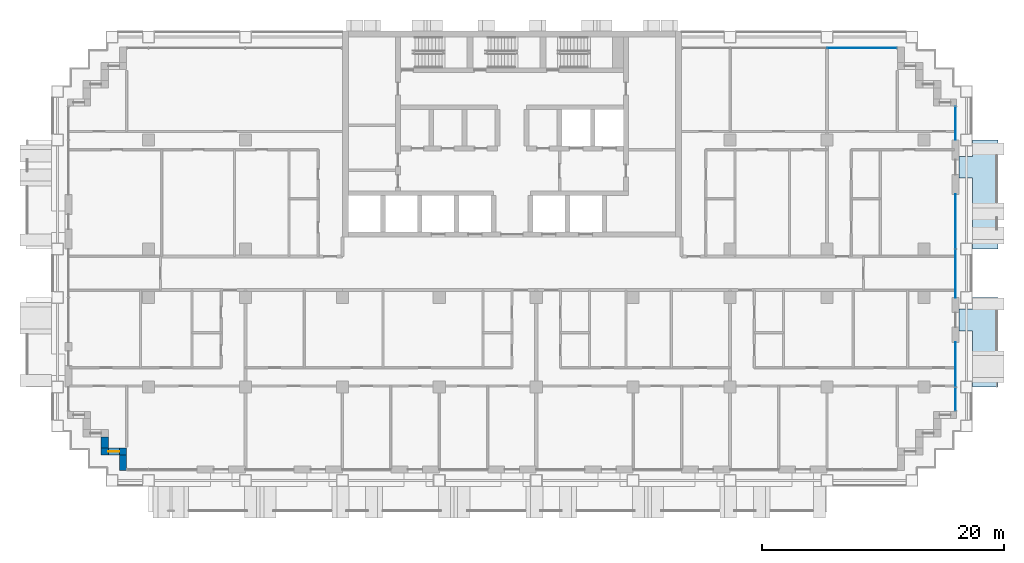
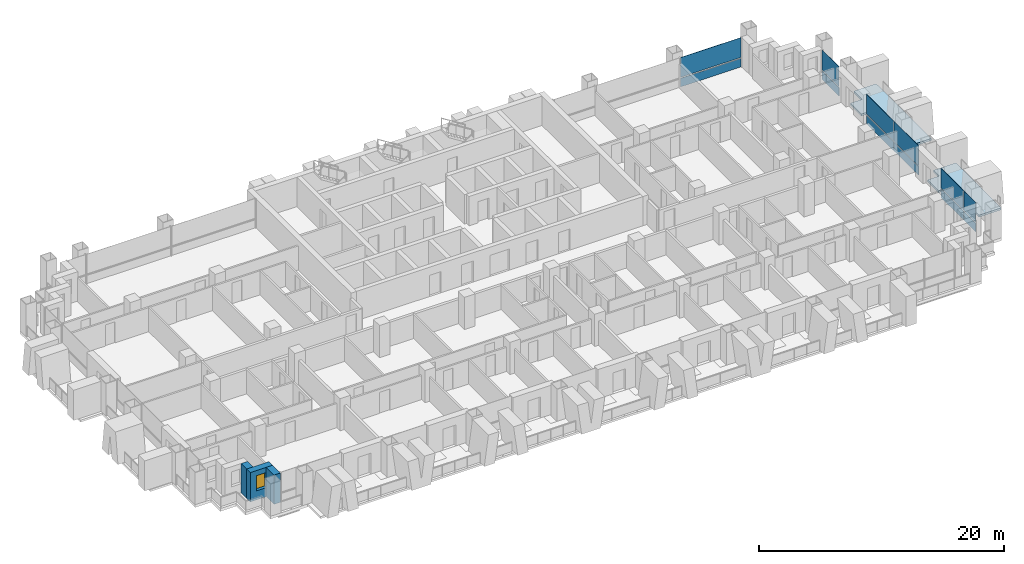
# One storey, part 8 of 18: 12 plates, 3 walls, 2 slabs, 1 window, 1 opening, 4 elements without a shape of their own.
"""IFC4 building model written with IfcOpenShell, lengths in metres."""

from ifc_helpers import new_model, si_unit, direction, frame, frame_2d, origin, origin_2d, place, context, subcontext, project, spatial, polyline, rectangle, outline, extrude, material, layer, layer_set, type_object, element, fill, aggregate, save


model = new_model("IFC4")

# Units and contexts
model_context = context("Model", 3, precision=1e-05, world=origin(), true_north=direction((0.0, 1.0)))
body_context = subcontext(model_context, "Body", "Model", "MODEL_VIEW")
ifc_project = project(units=[si_unit("LENGTHUNIT", "METRE"), si_unit("AREAUNIT", "SQUARE_METRE"), si_unit("VOLUMEUNIT", "CUBIC_METRE"), si_unit("PLANEANGLEUNIT", "RADIAN"), si_unit("MASSUNIT", "GRAM", prefix="KILO")], contexts=[model_context])

# Site, building, storey
site_placement = place(None, origin())
site = spatial("IfcSite", under=ifc_project, at=site_placement, CompositionType="ELEMENT")
building_placement = place(site_placement, origin())
building = spatial("IfcBuilding", under=site, at=building_placement, Name="Vidyagriha Tower", CompositionType="ELEMENT")
storey_placement = place(building_placement, frame((0.0, 0.0, 44.800048828125)))
storey = spatial("IfcBuildingStorey", under=building, at=storey_placement, Name="L11", CompositionType="ELEMENT", Elevation=44.800048828125)

# Curtain wall, plate
ifc_material_1 = material(Name="Aluminium and glass curtain wall", Category="aluminium")
curtain_wall_type = type_object("IfcCurtainWallType", Name="Dwelling skin unitised curtain wall", PredefinedType="USERDEFINED", material=ifc_material_1)
curtain_wall_1_placement = place(storey_placement, origin())
curtain_wall_1 = element("IfcCurtainWall", 1, at=curtain_wall_1_placement, inside=storey, type_object=curtain_wall_type, Name="CW1 dwelling skin", ObjectType="UNITISED", PredefinedType="USERDEFINED")
ifc_material_2 = material(Name="Glass dark ceramic-fritted spandrel", Category="glass")
ifc_layer_1 = layer(ifc_material_2, 0.0400390625)
ifc_layer_set_1 = layer_set([ifc_layer_1], Name="Glass dark ceramic-fritted spandrel")
plate_type_1 = type_object("IfcPlateType", Name="Ceramic-fritted spandrel panel", PredefinedType="CURTAIN_PANEL", material=ifc_layer_set_1)
plate_1_placement = place(storey_placement, frame((28.882568359375, 18.60009765625, 0.0), z_axis=(0.0, 0.0, 1.0), x_axis=(-1.0, 0.0, 0.0)))
plate_1 = element("IfcPlate", 2, at=plate_1_placement, type_object=plate_type_1, Name="CW1 panel 1.1", PredefinedType="CURTAIN_PANEL", context=body_context, shape_type="SweptSolid", body=[
    extrude(rectangle(XDim=5.695068359375, YDim=0.0400390625, at=origin_2d()), origin(), (0.0, 0.0, 1.0), 0.85009765625),
])

# Curtain wall, plates
curtain_wall_2_placement = place(storey_placement, origin())
curtain_wall_2 = element("IfcCurtainWall", 3, at=curtain_wall_2_placement, inside=storey, type_object=curtain_wall_type, Name="CW1 dwelling skin", ObjectType="UNITISED", PredefinedType="USERDEFINED")
plate_2_placement = place(storey_placement, frame((36.60009765625, -10.382568359375, 0.0), z_axis=(0.0, 0.0, 1.0), x_axis=(0.0, 1.0, 0.0)))
plate_2 = element("IfcPlate", 4, at=plate_2_placement, type_object=plate_type_1, Name="CW1 panel 1.1", PredefinedType="CURTAIN_PANEL", context=body_context, shape_type="SweptSolid", body=[
    extrude(rectangle(XDim=1.89501953125, YDim=0.0400390625, at=origin_2d()), origin(), (0.0, 0.0, 1.0), 0.85009765625),
])
plate_3_placement = place(storey_placement, frame((36.60009765625, -7.532470703125, 0.0), z_axis=(0.0, 0.0, 1.0), x_axis=(0.0, 1.0, 0.0)))
plate_3 = element("IfcPlate", 5, at=plate_3_placement, type_object=plate_type_1, Name="CW1 panel 2.1", PredefinedType="CURTAIN_PANEL", context=body_context, shape_type="SweptSolid", body=[
    extrude(rectangle(XDim=3.6650390625, YDim=0.0400390625, at=origin_2d()), origin(), (0.0, 0.0, 1.0), 0.85009765625),
])

# Curtain wall, plate
curtain_wall_3_placement = place(storey_placement, origin())
curtain_wall_3 = element("IfcCurtainWall", 6, at=curtain_wall_3_placement, inside=storey, type_object=curtain_wall_type, Name="CW1 dwelling skin", ObjectType="UNITISED", PredefinedType="USERDEFINED")
plate_4_placement = place(storey_placement, frame((36.60009765625, 12.364990234375, 0.0), z_axis=(0.0, 0.0, 1.0), x_axis=(0.0, 1.0, 0.0)))
plate_4 = element("IfcPlate", 7, at=plate_4_placement, type_object=plate_type_1, Name="CW1 panel 1.1", PredefinedType="CURTAIN_PANEL", context=body_context, shape_type="SweptSolid", body=[
    extrude(rectangle(XDim=2.72998046875, YDim=0.0400390625, at=origin_2d()), origin(), (0.0, 0.0, 1.0), 0.85009765625),
])

# Plate
ifc_material_3 = material(Name="Glass dark ceramic-fritted", Category="glass")
ifc_layer_2 = layer(ifc_material_3, 0.028076171875)
ifc_layer_set_2 = layer_set([ifc_layer_2], Name="Glass dark ceramic-fritted")
plate_type_2 = type_object("IfcPlateType", Name="Dark ceramic-fritted vision glass panel", PredefinedType="CURTAIN_PANEL", material=ifc_layer_set_2)
plate_5_placement = place(storey_placement, frame((28.882568359375, 18.60009765625, 0.9501953125), z_axis=(0.0, 0.0, 1.0), x_axis=(-1.0, 0.0, 0.0)))
plate_5 = element("IfcPlate", 8, at=plate_5_placement, type_object=plate_type_2, Name="CW1 panel 1.2", PredefinedType="CURTAIN_PANEL", context=body_context, shape_type="SweptSolid", body=[
    extrude(rectangle(XDim=5.695068359375, YDim=0.028076171875, at=origin_2d()), origin(), (0.0, 0.0, 1.0), 1.969970703125),
])

aggregate(curtain_wall_1, [plate_1, plate_5])

plate_6_placement = place(storey_placement, frame((36.60009765625, -10.382568359375, 0.9501953125), z_axis=(0.0, 0.0, 1.0), x_axis=(0.0, 1.0, 0.0)))
plate_6 = element("IfcPlate", 9, at=plate_6_placement, type_object=plate_type_2, Name="CW1 panel 1.2", PredefinedType="CURTAIN_PANEL", context=body_context, shape_type="SweptSolid", body=[
    extrude(rectangle(XDim=1.89501953125, YDim=0.028076171875, at=origin_2d()), origin(), (0.0, 0.0, 1.0), 1.969970703125),
])

plate_7_placement = place(storey_placement, frame((36.60009765625, -7.532470703125, 0.9501953125), z_axis=(0.0, 0.0, 1.0), x_axis=(0.0, 1.0, 0.0)))
plate_7 = element("IfcPlate", 10, at=plate_7_placement, type_object=plate_type_2, Name="CW1 panel 2.2", PredefinedType="CURTAIN_PANEL", context=body_context, shape_type="SweptSolid", body=[
    extrude(rectangle(XDim=3.6650390625, YDim=0.028076171875, at=origin_2d()), origin(), (0.0, 0.0, 1.0), 1.969970703125),
])

aggregate(curtain_wall_2, [plate_2, plate_6, plate_3, plate_7])

# Curtain wall, plates
curtain_wall_4_placement = place(storey_placement, origin())
curtain_wall_4 = element("IfcCurtainWall", 11, at=curtain_wall_4_placement, inside=storey, type_object=curtain_wall_type, Name="CW1 dwelling skin", ObjectType="UNITISED", PredefinedType="USERDEFINED")
plate_8_placement = place(storey_placement, frame((36.60009765625, -0.017578125, 0.9501953125), z_axis=(0.0, 0.0, 1.0), x_axis=(0.0, 1.0, 0.0)))
plate_8 = element("IfcPlate", 12, at=plate_8_placement, type_object=plate_type_2, Name="CW1 panel 1.2", PredefinedType="CURTAIN_PANEL", context=body_context, shape_type="SweptSolid", body=[
    extrude(rectangle(XDim=3.965087890625, YDim=0.028076171875, at=origin_2d()), origin(), (0.0, 0.0, 1.0), 1.969970703125),
])
plate_9_placement = place(storey_placement, frame((36.60009765625, 4.267578125, 0.9501953125), z_axis=(0.0, 0.0, 1.0), x_axis=(0.0, 1.0, 0.0)))
plate_9 = element("IfcPlate", 13, at=plate_9_placement, type_object=plate_type_2, Name="CW1 panel 2.2", PredefinedType="CURTAIN_PANEL", context=body_context, shape_type="SweptSolid", body=[
    extrude(rectangle(XDim=4.465087890625, YDim=0.028076171875, at=origin_2d()), origin(), (0.0, 0.0, 1.0), 1.969970703125),
])

# Plate
plate_10_placement = place(storey_placement, frame((36.60009765625, 12.364990234375, 0.9501953125), z_axis=(0.0, 0.0, 1.0), x_axis=(0.0, 1.0, 0.0)))
plate_10 = element("IfcPlate", 14, at=plate_10_placement, type_object=plate_type_2, Name="CW1 panel 1.2", PredefinedType="CURTAIN_PANEL", context=body_context, shape_type="SweptSolid", body=[
    extrude(rectangle(XDim=2.72998046875, YDim=0.028076171875, at=origin_2d()), origin(), (0.0, 0.0, 1.0), 1.969970703125),
])

aggregate(curtain_wall_3, [plate_4, plate_10])

ifc_material_4 = material(Name="Aluminium black anodised", Category="aluminium")
ifc_layer_3 = layer(ifc_material_4, 0.06005859375)
ifc_layer_set_3 = layer_set([ifc_layer_3], Name="Aluminium black anodised")
plate_type_3 = type_object("IfcPlateType", Name="Operable black-metal vent panel", PredefinedType="CURTAIN_PANEL", material=ifc_layer_set_3)
plate_11_placement = place(storey_placement, frame((36.60009765625, -0.017578125, 0.0), z_axis=(0.0, 0.0, 1.0), x_axis=(0.0, 1.0, 0.0)))
plate_11 = element("IfcPlate", 15, at=plate_11_placement, type_object=plate_type_3, Name="CW1 panel 1.1", PredefinedType="CURTAIN_PANEL", context=body_context, shape_type="SweptSolid", body=[
    extrude(rectangle(XDim=3.965087890625, YDim=0.06005859375, at=origin_2d()), origin(), (0.0, 0.0, 1.0), 0.85009765625),
])

plate_12_placement = place(storey_placement, frame((36.60009765625, 4.267578125, 0.0), z_axis=(0.0, 0.0, 1.0), x_axis=(0.0, 1.0, 0.0)))
plate_12 = element("IfcPlate", 16, at=plate_12_placement, type_object=plate_type_3, Name="CW1 panel 2.1", PredefinedType="CURTAIN_PANEL", context=body_context, shape_type="SweptSolid", body=[
    extrude(rectangle(XDim=4.465087890625, YDim=0.06005859375, at=origin_2d()), origin(), (0.0, 0.0, 1.0), 0.85009765625),
])

aggregate(curtain_wall_4, [plate_11, plate_8, plate_12, plate_9])

# Slabs
ifc_material_5 = material(Name="Precast concrete C40/50", Category="concrete")
ifc_layer_4 = layer(ifc_material_5, 0.199951171875)
ifc_layer_set_4 = layer_set([ifc_layer_4], Name="Precast concrete C40/50")
slab_type = type_object("IfcSlabType", Name="Precast balcony slab 200", PredefinedType="USERDEFINED", material=ifc_layer_set_4)
slab_1_placement = place(storey_placement, frame((0.0, 0.0, -0.199951171875)))
element("IfcSlab", 17, at=slab_1_placement, inside=storey, type_object=slab_type, Name="Balcony slab L11 R30.1-1", ObjectType="BALCONY", PredefinedType="USERDEFINED", context=body_context, shape_type="SweptSolid", body=[
    extrude(outline(polyline([(38.0, -4.75), (38.0, -9.39990234375), (40.10009765625, -9.39990234375), (40.10009765625, -2.0), (38.0, -2.0), (38.0, -2.949951171875), (36.89990234375, -2.949951171875), (36.89990234375, -4.75), (38.0, -4.75)])), origin(), (0.0, 0.0, 1.0), 0.199951171875),
])
slab_2_placement = place(storey_placement, frame((0.0, 0.0, -0.199951171875)))
element("IfcSlab", 18, at=slab_2_placement, inside=storey, type_object=slab_type, Name="Balcony slab L11 R30.2-2", ObjectType="BALCONY", PredefinedType="USERDEFINED", context=body_context, shape_type="SweptSolid", body=[
    extrude(outline(polyline([(38.0, 7.85009765625), (38.0, 2.0), (40.10009765625, 2.0), (40.10009765625, 11.0), (38.0, 11.0), (38.0, 9.64990234375), (36.89990234375, 9.64990234375), (36.89990234375, 7.85009765625), (38.0, 7.85009765625)])), origin(), (0.0, 0.0, 1.0), 0.199951171875),
])

# Wall
ifc_material_6 = material(Name="Precast concrete C40/50 with brick facing", Category="concrete")
ifc_layer_5 = layer(ifc_material_6, 0.60009765625)
ifc_layer_set_5 = layer_set([ifc_layer_5], Name="Precast concrete C40/50 with brick facing")
wall_type = type_object("IfcWallType", Name="Brick-faced precast wall 600", PredefinedType="STANDARD", material=ifc_layer_set_5)
wall_1_placement = place(storey_placement, frame((-33.60009765625, -13.5, 0.0), z_axis=(0.0, 0.0, 1.0), x_axis=(0.0, -1.0, 0.0)))
element("IfcWall", 19, at=wall_1_placement, inside=storey, type_object=wall_type, Name="Stepped corner wall L11 R20", PredefinedType="STANDARD", context=body_context, shape_type="SweptSolid", body=[
    extrude(rectangle(XDim=0.89990234375, YDim=0.60009765625, at=frame_2d((0.449951171875, 0.0))), origin(), (0.0, 0.0, 1.0), 2.919921875),
])

# Wall, opening, window
wall_2_placement = place(storey_placement, frame((-33.89990234375, -14.699951171875, 0.0)))
wall_2 = element("IfcWall", 20, at=wall_2_placement, inside=storey, type_object=wall_type, Name="Stepped corner wall L11 R21", PredefinedType="STANDARD", context=body_context, shape_type="SweptSolid", body=[
    extrude(rectangle(XDim=2.099853515625, YDim=0.60009765625, at=frame_2d((1.0498046875, 0.0))), origin(), (0.0, 0.0, 1.0), 2.919921875),
])
opening_placement = place(wall_2_placement, frame((0.60009765625, 0.0, 0.89990234375)))
opening = element("IfcOpeningElement", 21, at=opening_placement, cuts=wall_2, Name="Opening WN1", PredefinedType="OPENING", context=body_context, shape_type="SweptSolid", body=[
    extrude(rectangle(XDim=0.89990234375, YDim=1.5, at=frame_2d((0.449951171875, 0.75))), frame((0.0, 0.31005859375, 0.0), z_axis=(0.0, -1.0, 0.0), x_axis=(1.0, 0.0, 0.0)), (0.0, 0.0, 1.0), 0.6201171875),
])
ifc_material_7 = material(Name="Aluminium and glass window", Category="aluminium")
window_type = type_object("IfcWindowType", Name="Reveal window 900x1500", PartitioningType="NOTDEFINED", PredefinedType="WINDOW", material=ifc_material_7)
window_placement = place(opening_placement, origin())
window = element("IfcWindow", 22, at=window_placement, inside=storey, type_object=window_type, Name="Reveal window L11 R21", OverallHeight=1.5, OverallWidth=0.89990234375, PartitioningType="SINGLE_PANEL", PredefinedType="WINDOW", context=body_context, shape_type="SweptSolid", body=[
    extrude(rectangle(XDim=0.89990234375, YDim=1.5, at=frame_2d((0.449951171875, 0.75))), frame((0.0, 0.030029296875, 0.0), z_axis=(0.0, -1.0, 0.0), x_axis=(1.0, 0.0, 0.0)), (0.0, 0.0, 1.0), 0.06005859375),
])
fill(opening, window)

# Wall
wall_3_placement = place(storey_placement, frame((-32.10009765625, -15.0, 0.0), z_axis=(0.0, 0.0, 1.0), x_axis=(0.0, -1.0, 0.0)))
element("IfcWall", 23, at=wall_3_placement, inside=storey, type_object=wall_type, Name="Stepped corner wall L11 R22", PredefinedType="STANDARD", context=body_context, shape_type="SweptSolid", body=[
    extrude(rectangle(XDim=1.280029296875, YDim=0.60009765625, at=frame_2d((0.64013671875, 0.0))), origin(), (0.0, 0.0, 1.0), 2.919921875),
])

save(model, "model.ifc")
